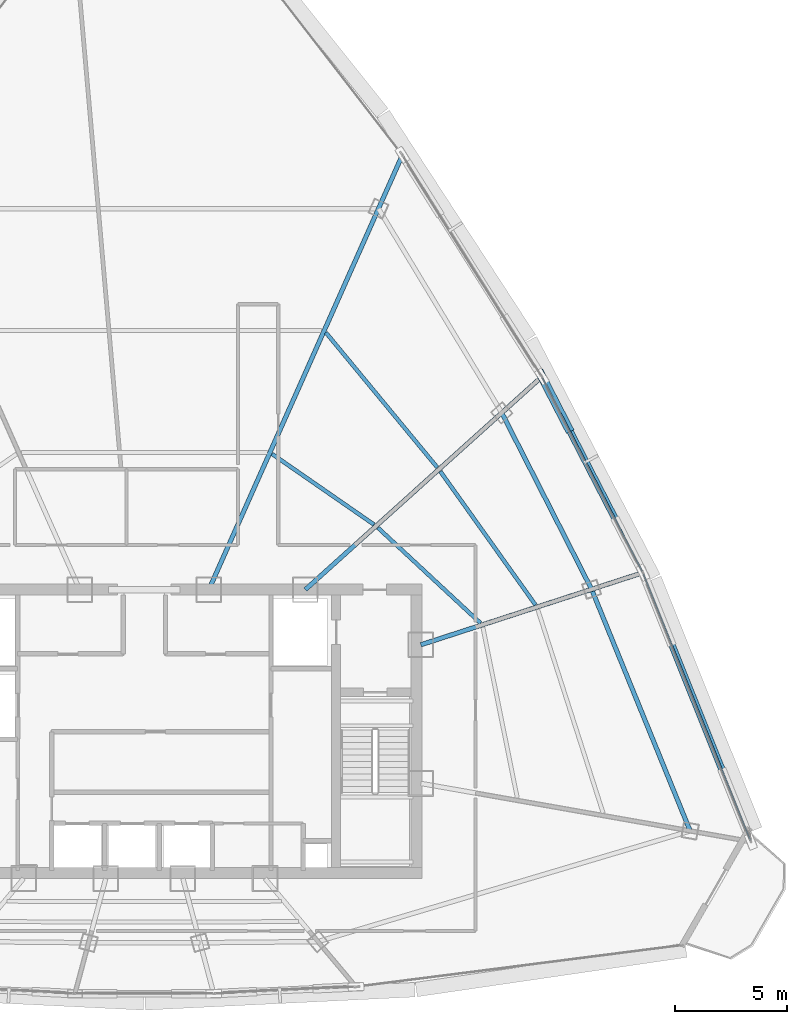
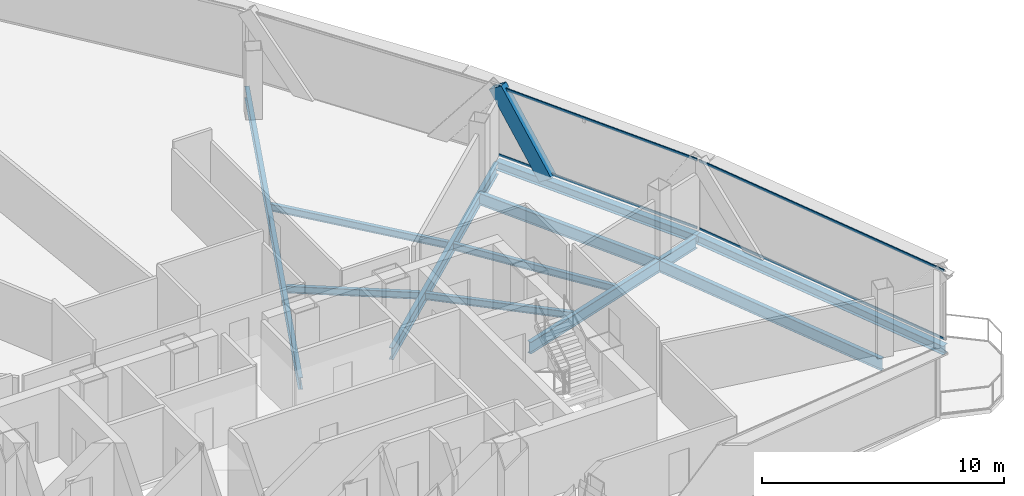
# One storey, part 14 of 30: 11 beams, 5 members, 2 elements without a shape of their own.
"""IFC4 building model written with IfcOpenShell, lengths in metres."""

from ifc_helpers import new_model, si_unit, direction, frame, origin, origin_2d, place, context, subcontext, project, spatial, hollow_rectangle, i_section, extrude, source, transform, mapped, material, layer, layer_set, material_profile, profile_set, type_object, element, aggregate, save


model = new_model("IFC4")

# Units and contexts
model_context = context("Model", 3, precision=1e-05, world=origin(), true_north=direction((0.0, 1.0)))
body_context = subcontext(model_context, "Body", "Model", "MODEL_VIEW")
ifc_project = project(units=[si_unit("LENGTHUNIT", "METRE"), si_unit("AREAUNIT", "SQUARE_METRE"), si_unit("VOLUMEUNIT", "CUBIC_METRE"), si_unit("PLANEANGLEUNIT", "RADIAN"), si_unit("MASSUNIT", "GRAM", prefix="KILO"), si_unit("THERMODYNAMICTEMPERATUREUNIT", "KELVIN"), si_unit("POWERUNIT", "WATT")], contexts=[model_context])

# Site, building, storey
site_placement = place(None, origin())
site = spatial("IfcSite", under=ifc_project, at=site_placement, CompositionType="ELEMENT")
building_placement = place(site_placement, origin())
building = spatial("IfcBuilding", under=site, at=building_placement, Name="Yunzhuo Pagoda Commons", CompositionType="ELEMENT")
storey_placement = place(building_placement, frame((0.0, 0.0, 348.010009765625)))
storey = spatial("IfcBuildingStorey", under=building, at=storey_placement, Name="L87", CompositionType="ELEMENT", Elevation=348.010009765625)

# Beams
ifc_material_1 = material(Name="Structural steel Q355B", Category="steel")
ifc_material_profile_1 = material_profile(ifc_material_1, i_section(OverallWidth=0.199951171875, OverallDepth=0.60009765625, WebThickness=0.010986328125, FlangeThickness=0.01708984375, at=origin_2d()), Name="Structural steel Q355B")
ifc_profile_set_1 = profile_set([ifc_material_profile_1], Name="Structural steel Q355B")
beam_type_1 = type_object("IfcBeamType", Name="B-RG3 Beam HN 600x200x11x17", PredefinedType="BEAM", material=ifc_profile_set_1)
shared_shape_1 = source(origin(), body_context, "Body", "SweptSolid", [
    extrude(i_section(OverallWidth=0.199951171875, OverallDepth=0.60009765625, WebThickness=0.010986328125, FlangeThickness=0.01708984375, at=origin_2d()), origin(), (0.0, 0.0, 1.0), 11.696533203125),
])
beam_1_placement = place(storey_placement, frame((72.47021484375, 29.38525390625, -0.56005859375), z_axis=(-0.377611800863, 0.925963999219, 0.0), x_axis=(-0.925963999219, -0.377611800863, 0.0)))
element("IfcBeam", 1, at=beam_1_placement, inside=storey, type_object=beam_type_1, Name="L87 column-ring beam 5", PredefinedType="BEAM", context=body_context, shape_type="MappedRepresentation", body=[
    mapped(shared_shape_1, transform((0.0, 0.0, 0.0), scale=1.0)),
])
shared_shape_2 = source(origin(), body_context, "Body", "SweptSolid", [
    extrude(i_section(OverallWidth=0.199951171875, OverallDepth=0.60009765625, WebThickness=0.010986328125, FlangeThickness=0.01708984375, at=origin_2d()), origin(), (0.0, 0.0, 1.0), 8.87939453125),
])
beam_2_placement = place(storey_placement, frame((68.053466796875, 40.2158203125, -0.56005859375), z_axis=(-0.453723535687, 0.891142498798, 0.0), x_axis=(-0.891142498798, -0.453723535687, 0.0)))
element("IfcBeam", 2, at=beam_2_placement, inside=storey, type_object=beam_type_1, Name="L87 column-ring beam 6", PredefinedType="BEAM", context=body_context, shape_type="MappedRepresentation", body=[
    mapped(shared_shape_2, transform((0.0, 0.0, 0.0), scale=1.0)),
])
ifc_material_profile_2 = material_profile(ifc_material_1, i_section(OverallWidth=0.175048828125, OverallDepth=0.35009765625, WebThickness=0.007080078125, FlangeThickness=0.010986328125, at=origin_2d()), Name="Structural steel Q355B")
ifc_profile_set_2 = profile_set([ifc_material_profile_2], Name="Structural steel Q355B")
beam_type_2 = type_object("IfcBeamType", Name="B-JS2 Joist HN 350x175x7x11", PredefinedType="JOIST", material=ifc_profile_set_2)
shared_shape_3 = source(origin(), body_context, "Body", "SweptSolid", [
    extrude(i_section(OverallWidth=0.175048828125, OverallDepth=0.35009765625, WebThickness=0.007080078125, FlangeThickness=0.010986328125, at=origin_2d()), origin(), (0.0, 0.0, 1.0), 6.277099609375),
])
beam_3_placement = place(storey_placement, frame((63.071044921875, 38.702392578125, -0.43505859375), z_axis=(-0.73244154109, 0.68082992655, 0.0), x_axis=(-0.68082992655, -0.73244154109, 0.0)))
element("IfcBeam", 3, at=beam_3_placement, inside=storey, type_object=beam_type_2, Name="L87 composite ring joist 1.6", PredefinedType="JOIST", context=body_context, shape_type="MappedRepresentation", body=[
    mapped(shared_shape_3, transform((0.0, 0.0, 0.0), scale=1.0)),
])
shared_shape_4 = source(origin(), body_context, "Body", "SweptSolid", [
    extrude(i_section(OverallWidth=0.175048828125, OverallDepth=0.35009765625, WebThickness=0.007080078125, FlangeThickness=0.010986328125, at=origin_2d()), origin(), (0.0, 0.0, 1.0), 7.347900390625),
])
beam_4_placement = place(storey_placement, frame((65.53759765625, 39.513671875, -0.43505859375), z_axis=(-0.580294898948, 0.814406428177, 0.0), x_axis=(-0.814406428177, -0.580294898948, 0.0)))
element("IfcBeam", 4, at=beam_4_placement, inside=storey, type_object=beam_type_2, Name="L87 composite ring joist 2.6", PredefinedType="JOIST", context=body_context, shape_type="MappedRepresentation", body=[
    mapped(shared_shape_4, transform((0.0, 0.0, 0.0), scale=1.0)),
])
shared_shape_5 = source(origin(), body_context, "Body", "SweptSolid", [
    extrude(i_section(OverallWidth=0.175048828125, OverallDepth=0.35009765625, WebThickness=0.007080078125, FlangeThickness=0.010986328125, at=origin_2d()), origin(), (0.0, 0.0, 1.0), 5.556640625),
])
beam_5_placement = place(storey_placement, frame((58.29443359375, 43.119873046875, -0.43505859375), z_axis=(-0.822084621883, 0.569365326011, 0.0), x_axis=(-0.569365326011, -0.822084621883, 0.0)))
element("IfcBeam", 5, at=beam_5_placement, inside=storey, type_object=beam_type_2, Name="L87 composite ring joist 1.7", PredefinedType="JOIST", context=body_context, shape_type="MappedRepresentation", body=[
    mapped(shared_shape_5, transform((0.0, 0.0, 0.0), scale=1.0)),
])
shared_shape_6 = source(origin(), body_context, "Body", "SweptSolid", [
    extrude(i_section(OverallWidth=0.175048828125, OverallDepth=0.35009765625, WebThickness=0.007080078125, FlangeThickness=0.010986328125, at=origin_2d()), origin(), (0.0, 0.0, 1.0), 7.842529296875),
])
beam_6_placement = place(storey_placement, frame((61.133544921875, 45.68017578125, -0.43505859375), z_axis=(-0.636899145749, 0.770947130577, 0.0), x_axis=(-0.770947130577, -0.636899145749, 0.0)))
element("IfcBeam", 6, at=beam_6_placement, inside=storey, type_object=beam_type_2, Name="L87 composite ring joist 2.7", PredefinedType="JOIST", context=body_context, shape_type="MappedRepresentation", body=[
    mapped(shared_shape_6, transform((0.0, 0.0, 0.0), scale=1.0)),
])
shared_shape_7 = source(origin(), body_context, "Body", "SweptSolid", [
    extrude(i_section(OverallWidth=0.199951171875, OverallDepth=0.60009765625, WebThickness=0.010986328125, FlangeThickness=0.01708984375, at=origin_2d()), origin(), (0.0, 0.0, 1.0), 10.31103515625),
])
beam_7_placement = place(storey_placement, frame((70.206298828125, 40.915283203125, -0.56005859375), z_axis=(-0.951056860321, -0.30901593557, 0.0), x_axis=(0.30901593557, -0.951056860321, 0.0)))
element("IfcBeam", 7, at=beam_7_placement, inside=storey, type_object=beam_type_1, Name="L87 radial floor girder F2C2", PredefinedType="BEAM", context=body_context, shape_type="MappedRepresentation", body=[
    mapped(shared_shape_7, transform((0.0, 0.0, 0.0), scale=1.0)),
])
shared_shape_8 = source(origin(), body_context, "Body", "SweptSolid", [
    extrude(i_section(OverallWidth=0.199951171875, OverallDepth=0.60009765625, WebThickness=0.010986328125, FlangeThickness=0.01708984375, at=origin_2d()), origin(), (0.0, 0.0, 1.0), 14.1162109375),
])
beam_8_placement = place(storey_placement, frame((65.70947265625, 49.6455078125, -0.56005859375), z_axis=(-0.743148793386, -0.669126199523, 0.0), x_axis=(0.669126199523, -0.743148793386, 0.0)))
element("IfcBeam", 8, at=beam_8_placement, inside=storey, type_object=beam_type_1, Name="L87 radial floor girder F2C3", PredefinedType="BEAM", context=body_context, shape_type="MappedRepresentation", body=[
    mapped(shared_shape_8, transform((0.0, 0.0, 0.0), scale=1.0)),
])
shared_shape_9 = source(origin(), body_context, "Body", "SweptSolid", [
    extrude(i_section(OverallWidth=0.199951171875, OverallDepth=0.60009765625, WebThickness=0.010986328125, FlangeThickness=0.01708984375, at=origin_2d()), origin(), (0.0, 0.0, 1.0), 21.180908203125),
])
beam_9_placement = place(storey_placement, frame((59.509033203125, 59.5498046875, -0.56005859375), z_axis=(-0.406731930352, -0.913547555868, 0.0), x_axis=(0.913547555868, -0.406731930352, 0.0)))
element("IfcBeam", 9, at=beam_9_placement, inside=storey, type_object=beam_type_1, Name="L87 radial floor girder F2C4", PredefinedType="BEAM", context=body_context, shape_type="MappedRepresentation", body=[
    mapped(shared_shape_9, transform((0.0, 0.0, 0.0), scale=1.0)),
])
ifc_material_profile_3 = material_profile(ifc_material_1, i_section(OverallWidth=0.300048828125, OverallDepth=0.43994140625, WebThickness=0.010986328125, FlangeThickness=0.01806640625, at=origin_2d()), Name="Structural steel Q355B")
ifc_profile_set_3 = profile_set([ifc_material_profile_3], Name="Structural steel Q355B")
beam_type_3 = type_object("IfcBeamType", Name="B-SP2 Beam HM 440x300x11x18", PredefinedType="BEAM", material=ifc_profile_set_3)
shared_shape_10 = source(origin(), body_context, "Body", "SweptSolid", [
    extrude(i_section(OverallWidth=0.300048828125, OverallDepth=0.43994140625, WebThickness=0.010986328125, FlangeThickness=0.01806640625, at=origin_2d()), origin(), (0.0, 0.0, 1.0), 12.9931640625),
])
beam_10_placement = place(storey_placement, frame((75.19384765625, 28.905029296875, -0.47998046875), z_axis=(-0.372508077286, 0.928028950172, 0.0), x_axis=(-0.928028950172, -0.372508077286, 0.0)))
element("IfcBeam", 10, at=beam_10_placement, inside=storey, type_object=beam_type_3, Name="L87 facade edge spandrel beam F2.1", PredefinedType="BEAM", context=body_context, shape_type="MappedRepresentation", body=[
    mapped(shared_shape_10, transform((0.0, 0.0, 0.0), scale=1.0)),
])
shared_shape_11 = source(origin(), body_context, "Body", "SweptSolid", [
    extrude(i_section(OverallWidth=0.300048828125, OverallDepth=0.43994140625, WebThickness=0.010986328125, FlangeThickness=0.01806640625, at=origin_2d()), origin(), (0.0, 0.0, 1.0), 9.884765625),
])
beam_11_placement = place(storey_placement, frame((70.353759765625, 40.963134765625, -0.47998046875), z_axis=(-0.458204989811, 0.888846548799, 0.0), x_axis=(-0.888846548799, -0.458204989811, 0.0)))
element("IfcBeam", 11, at=beam_11_placement, inside=storey, type_object=beam_type_3, Name="L87 facade edge spandrel beam F2.2", PredefinedType="BEAM", context=body_context, shape_type="MappedRepresentation", body=[
    mapped(shared_shape_11, transform((0.0, 0.0, 0.0), scale=1.0)),
])

# Member
ifc_material_profile_4 = material_profile(ifc_material_1, hollow_rectangle(XDim=0.3798828125, YDim=0.719970703125, WallThickness=0.02001953125, at=origin_2d()), Name="Structural steel Q355B")
ifc_profile_set_4 = profile_set([ifc_material_profile_4], Name="Structural steel Q355B")
member_type_1 = type_object("IfcMemberType", Name="M-DL3 Brace BOX 720x380x20", PredefinedType="BRACE", material=ifc_profile_set_4)
shared_shape_12 = source(origin(), body_context, "Body", "SweptSolid", [
    extrude(hollow_rectangle(XDim=0.3798828125, YDim=0.719970703125, WallThickness=0.02001953125, at=origin_2d()), origin(), (0.0, 0.0, 1.0), 4.490966796875),
])
member_1_placement = place(storey_placement, frame((66.956787109375, 47.552734375, -0.260009765625), z_axis=(-0.252129772471, 0.489092618138, 0.834996400422), x_axis=(-0.888846548799, -0.458204989811, 0.0)))
element("IfcMember", 12, at=member_1_placement, inside=storey, type_object=member_type_1, Name="L87 facade diamond brace F2.2R", PredefinedType="BRACE", context=body_context, shape_type="MappedRepresentation", body=[
    mapped(shared_shape_12, transform((0.0, 0.0, 0.0), scale=1.0)),
])

# Curtain wall, members
ifc_material_2 = material(Name="Anodized aluminium 6063-T6", Category="aluminium")
ifc_layer = layer(ifc_material_2, 0.139892578125)
ifc_layer_set = layer_set([ifc_layer], Name="Anodized aluminium 6063-T6")
curtain_wall_type = type_object("IfcCurtainWallType", Name="CW-HI High-Zone Ribbon Curtain Wall", PredefinedType="NOTDEFINED", material=ifc_layer_set)
curtain_wall_1_placement = place(storey_placement, origin())
curtain_wall_1 = element("IfcCurtainWall", 13, at=curtain_wall_1_placement, inside=storey, type_object=curtain_wall_type, Name="L87 curtain wall CW-L87-F2B2", PredefinedType="NOTDEFINED")
ifc_material_profile_5 = material_profile(ifc_material_2, hollow_rectangle(XDim=0.054931640625, YDim=0.1201171875, WallThickness=0.00341796875, at=origin_2d()), Name="Anodized aluminium 6063-T6")
ifc_profile_set_5 = profile_set([ifc_material_profile_5], Name="Anodized aluminium 6063-T6")
member_type_2 = type_object("IfcMemberType", Name="CW-HI-T Transom RHS 120x55x3.5", PredefinedType="USERDEFINED", material=ifc_profile_set_5)
shared_shape_13 = source(origin(), body_context, "Body", "SweptSolid", [
    extrude(hollow_rectangle(XDim=0.054931640625, YDim=0.1201171875, WallThickness=0.00341796875, at=origin_2d()), origin(), (0.0, 0.0, 1.0), 12.873046875),
])
member_2_placement = place(storey_placement, frame((75.171142578125, 28.960693359375, 0.027587890625), z_axis=(-0.372476015207, 0.928041819152, 0.0), x_axis=(-0.928041819152, -0.372476015207, 0.0)))
member_2 = element("IfcMember", 14, at=member_2_placement, type_object=member_type_2, Name="CW transom 1.1", ObjectType="TRANSOM", PredefinedType="USERDEFINED", context=body_context, shape_type="MappedRepresentation", body=[
    mapped(shared_shape_13, transform((0.0, 0.0, 0.0), scale=1.0)),
])
member_3_placement = place(storey_placement, frame((75.171142578125, 28.960693359375, 3.46240234375), z_axis=(-0.372476015207, 0.928041819152, 0.0), x_axis=(-0.928041819152, -0.372476015207, 0.0)))
member_3 = element("IfcMember", 15, at=member_3_placement, type_object=member_type_2, Name="CW transom 1.2", ObjectType="TRANSOM", PredefinedType="USERDEFINED", context=body_context, shape_type="MappedRepresentation", body=[
    mapped(shared_shape_13, transform((0.0, 0.0, 0.0), scale=1.0)),
])
aggregate(curtain_wall_1, [member_2, member_3])

curtain_wall_2_placement = place(storey_placement, origin())
curtain_wall_2 = element("IfcCurtainWall", 16, at=curtain_wall_2_placement, inside=storey, type_object=curtain_wall_type, Name="L87 curtain wall CW-L87-F2B3", PredefinedType="NOTDEFINED")
shared_shape_14 = source(origin(), body_context, "Body", "SweptSolid", [
    extrude(hollow_rectangle(XDim=0.054931640625, YDim=0.1201171875, WallThickness=0.00341796875, at=origin_2d()), origin(), (0.0, 0.0, 1.0), 9.764892578125),
])
member_4_placement = place(storey_placement, frame((70.326416015625, 41.0166015625, 0.027587890625), z_axis=(-0.458210436788, 0.888843740833, 0.0), x_axis=(-0.888843740833, -0.458210436788, 0.0)))
member_4 = element("IfcMember", 17, at=member_4_placement, type_object=member_type_2, Name="CW transom 1.1", ObjectType="TRANSOM", PredefinedType="USERDEFINED", context=body_context, shape_type="MappedRepresentation", body=[
    mapped(shared_shape_14, transform((0.0, 0.0, 0.0), scale=1.0)),
])
member_5_placement = place(storey_placement, frame((70.326416015625, 41.0166015625, 3.46240234375), z_axis=(-0.458210436788, 0.888843740833, 0.0), x_axis=(-0.888843740833, -0.458210436788, 0.0)))
member_5 = element("IfcMember", 18, at=member_5_placement, type_object=member_type_2, Name="CW transom 1.2", ObjectType="TRANSOM", PredefinedType="USERDEFINED", context=body_context, shape_type="MappedRepresentation", body=[
    mapped(shared_shape_14, transform((0.0, 0.0, 0.0), scale=1.0)),
])
aggregate(curtain_wall_2, [member_4, member_5])

save(model, "model.ifc")
